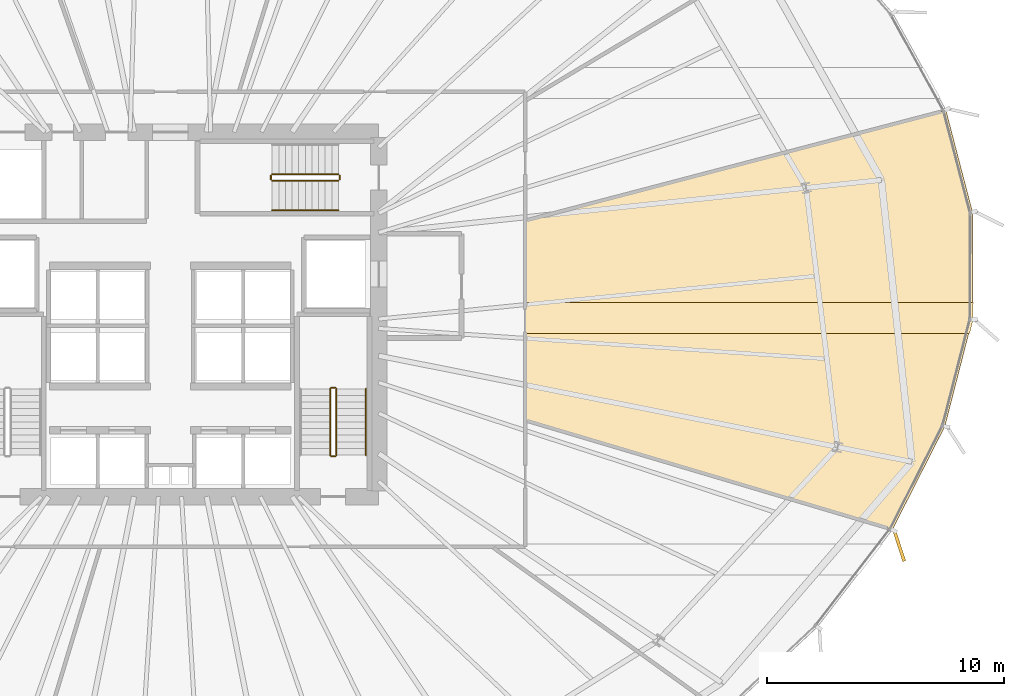
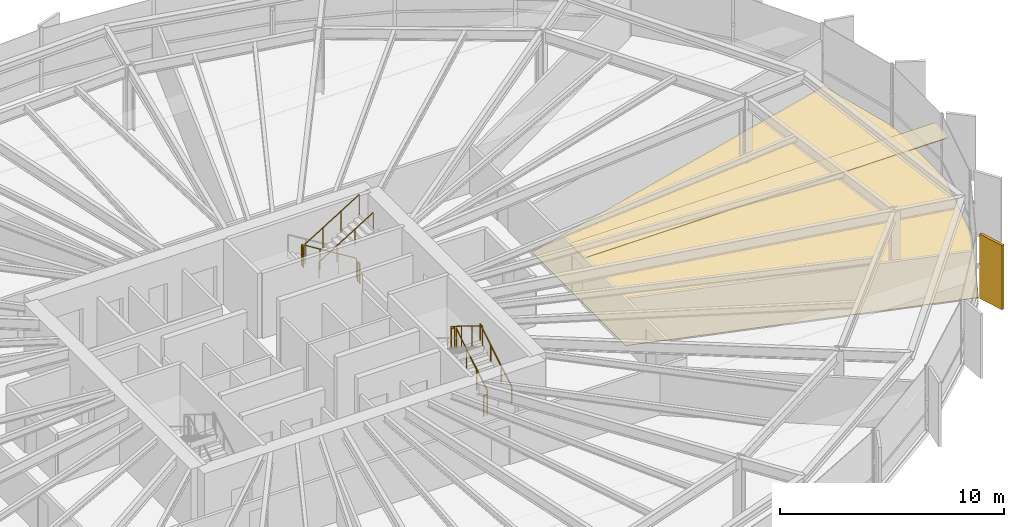
# One storey, part 36 of 37: 10 railings, 3 coverings.
"""IFC4 building model written with IfcOpenShell, lengths in metres."""

from ifc_helpers import new_model, si_unit, direction, frame, origin, origin_2d, place, context, subcontext, project, spatial, polyline, rectangle, circle, outline, extrude, source, transform, mapped, material, layer, layer_set, type_object, element, save


model = new_model("IFC4")

# Units and contexts
model_context = context("Model", 3, precision=1e-05, world=origin(), true_north=direction((0.0, 1.0)))
body_context = subcontext(model_context, "Body", "Model", "MODEL_VIEW")
ifc_project = project(units=[si_unit("LENGTHUNIT", "METRE"), si_unit("AREAUNIT", "SQUARE_METRE"), si_unit("VOLUMEUNIT", "CUBIC_METRE"), si_unit("PLANEANGLEUNIT", "RADIAN"), si_unit("MASSUNIT", "GRAM", prefix="KILO"), si_unit("THERMODYNAMICTEMPERATUREUNIT", "KELVIN")], contexts=[model_context])

# Site, building, storey
site_placement = place(None, origin())
site = spatial("IfcSite", under=ifc_project, at=site_placement, CompositionType="ELEMENT")
building_placement = place(site_placement, origin())
building = spatial("IfcBuilding", under=site, at=building_placement, Name="Kethvar Cultural Tower", CompositionType="ELEMENT")
storey_placement = place(building_placement, frame((0.0, 0.0, 60.0)))
storey = spatial("IfcBuildingStorey", under=building, at=storey_placement, Name="L14", CompositionType="ELEMENT", Elevation=60.0)

# Coverings
ifc_material_1 = material(Name="Acoustic Mineral Fibre Ceiling")
ifc_layer_1 = layer(ifc_material_1, 0.0400390625, Name="Acoustic Mineral Fibre Ceiling")
ifc_layer_set_1 = layer_set([ifc_layer_1], Name="Acoustic Mineral Fibre Ceiling (40 mm)")
covering_type_1 = type_object("IfcCoveringType", Name="CV-ACOUSTIC-CEIL", PredefinedType="CEILING", material=ifc_layer_set_1)
covering_1_placement = place(storey_placement, frame((0.0, 0.0, 2.56005859375)))
element("IfcCovering", 1, at=covering_1_placement, inside=storey, type_object=covering_type_1, Name="L14 Room 04 Acoustic Ceiling Panel", PredefinedType="CEILING", context=body_context, shape_type="SweptSolid", body=[
    extrude(outline(polyline([(61.77001953125, 28.299072265625), (80.722412109375, 28.299072265625), (80.719482421875, 27.5791015625), (80.56884765625, 26.989013671875), (61.77001953125, 26.989013671875), (61.77001953125, 28.299072265625)])), origin(), (0.0, 0.0, 1.0), 0.0400390625),
])
ifc_material_2 = material(Name="Architectural Oak Timber", Category="wood")
ifc_layer_2 = layer(ifc_material_2, 0.02490234375, Name="Architectural Oak Timber", Category="wood")
ifc_layer_set_2 = layer_set([ifc_layer_2], Name="Architectural Oak Timber (25 mm)")
covering_type_2 = type_object("IfcCoveringType", Name="CV-OAK-FLOOR", PredefinedType="FLOORING", material=ifc_layer_set_2)
covering_2_placement = place(storey_placement, origin())
element("IfcCovering", 2, at=covering_2_placement, inside=storey, type_object=covering_type_2, Name="L14 Room 04 Floor Finish", PredefinedType="FLOORING", context=body_context, shape_type="SweptSolid", body=[
    extrude(outline(polyline([(79.52294921875, 23.0732421875), (77.30810546875, 18.712158203125), (61.81005859375, 23.33935546875), (61.81005859375, 31.73779296875), (79.565185546875, 36.419921875), (80.697021484375, 32.082275390625), (80.679443359375, 27.581787109375), (79.52294921875, 23.0732421875)])), origin(), (0.0, 0.0, 1.0), 0.02490234375),
])

# Railings
ifc_material_3 = material(Name="Steel S355J2", Category="steel")
railing_type_1 = type_object("IfcRailingType", Name="RL-STAIR-GUARD", PredefinedType="BALUSTRADE", material=ifc_material_3)
railing_1_placement = place(storey_placement, frame((53.81005859375, 21.85009765625, 0.172607421875)))
element("IfcRailing", 3, at=railing_1_placement, inside=storey, type_object=railing_type_1, Name="L14 ST-02 stair guard 1", PredefinedType="BALUSTRADE", context=body_context, shape_type="SweptSolid", body=[
    extrude(circle(Radius=0.02392578125, at=origin_2d()), frame((0.0, 0.0, 1.09619140625), z_axis=(0.0, 0.851069175582, 0.525053576669), x_axis=(-1.0, 0.0, 0.0)), (0.0, 0.0, 1.0), 3.289794921875),
    extrude(circle(Radius=0.02099609375, at=origin_2d()), origin(), (0.0, 0.0, 1.0), 1.072021484375),
    extrude(circle(Radius=0.02099609375, at=origin_2d()), frame((0.0, 0.933349609375, 0.57568359375)), (0.0, 0.0, 1.0), 1.072021484375),
    extrude(circle(Radius=0.02099609375, at=origin_2d()), frame((0.0, 1.866455078125, 1.151611328125)), (0.0, 0.0, 1.0), 1.072021484375),
    extrude(circle(Radius=0.02099609375, at=origin_2d()), frame((0.0, 2.7998046875, 1.727294921875)), (0.0, 0.0, 1.0), 1.072021484375),
])
railing_2_placement = place(storey_placement, frame((53.760009765625, 24.699951171875, 1.89990234375)))
element("IfcRailing", 4, at=railing_2_placement, inside=storey, type_object=railing_type_1, Name="L14 ST-02 stair guard 2", PredefinedType="BALUSTRADE", context=body_context, shape_type="SweptSolid", body=[
    extrude(circle(Radius=0.02392578125, at=origin_2d()), frame((0.0, 0.0, 1.09619140625), z_axis=(-1.0, 0.0, 0.0), x_axis=(0.0, -1.0, 0.0)), (0.0, 0.0, 1.0), 0.159912109375),
    extrude(circle(Radius=0.02099609375, at=origin_2d()), origin(), (0.0, 0.0, 1.0), 1.072021484375),
    extrude(circle(Radius=0.02099609375, at=origin_2d()), frame((-0.159912109375, 0.0, 0.0)), (0.0, 0.0, 1.0), 1.072021484375),
])
railing_3_placement = place(storey_placement, frame((53.550048828125, 24.64990234375, 2.07275390625)))
element("IfcRailing", 5, at=railing_3_placement, inside=storey, type_object=railing_type_1, Name="L14 ST-02 stair guard 3", PredefinedType="BALUSTRADE", context=body_context, shape_type="SweptSolid", body=[
    extrude(circle(Radius=0.02392578125, at=origin_2d()), frame((0.0, 0.0, 1.09619140625), z_axis=(0.0, -0.851069175582, 0.525053576669), x_axis=(1.0, 0.0, 0.0)), (0.0, 0.0, 1.0), 3.289794921875),
    extrude(circle(Radius=0.02099609375, at=origin_2d()), origin(), (0.0, 0.0, 1.0), 1.072021484375),
    extrude(circle(Radius=0.02099609375, at=origin_2d()), frame((0.0, -0.933349609375, 0.57568359375)), (0.0, 0.0, 1.0), 1.072021484375),
    extrude(circle(Radius=0.02099609375, at=origin_2d()), frame((0.0, -1.866455078125, 1.151611328125)), (0.0, 0.0, 1.0), 1.072021484375),
    extrude(circle(Radius=0.02099609375, at=origin_2d()), frame((0.0, -2.7998046875, 1.727294921875)), (0.0, 0.0, 1.0), 1.072021484375),
])
railing_4_placement = place(storey_placement, frame((53.760009765625, 21.800048828125, 0.0)))
element("IfcRailing", 6, at=railing_4_placement, inside=storey, type_object=railing_type_1, Name="L14 ST-02 stair guard 4", PredefinedType="BALUSTRADE", context=body_context, shape_type="SweptSolid", body=[
    extrude(circle(Radius=0.02392578125, at=origin_2d()), frame((0.0, 0.0, 1.09619140625), z_axis=(-1.0, 0.0, 0.0), x_axis=(0.0, -1.0, 0.0)), (0.0, 0.0, 1.0), 0.159912109375),
    extrude(circle(Radius=0.02099609375, at=origin_2d()), origin(), (0.0, 0.0, 1.0), 1.072021484375),
    extrude(circle(Radius=0.02099609375, at=origin_2d()), frame((-0.159912109375, 0.0, 0.0)), (0.0, 0.0, 1.0), 1.072021484375),
])
railing_5_placement = place(storey_placement, frame((53.89990234375, 33.7099609375, 0.172607421875)))
element("IfcRailing", 7, at=railing_5_placement, inside=storey, type_object=railing_type_1, Name="L14 ST-03 stair guard 1", PredefinedType="BALUSTRADE", context=body_context, shape_type="SweptSolid", body=[
    extrude(circle(Radius=0.02392578125, at=origin_2d()), frame((0.0, 0.0, 1.09619140625), z_axis=(-0.851069175582, 0.0, 0.525053576669), x_axis=(0.0, -1.0, 0.0)), (0.0, 0.0, 1.0), 3.289794921875),
    extrude(circle(Radius=0.02099609375, at=origin_2d()), origin(), (0.0, 0.0, 1.0), 1.072021484375),
    extrude(circle(Radius=0.02099609375, at=origin_2d()), frame((-0.933349609375, 0.0, 0.57568359375)), (0.0, 0.0, 1.0), 1.072021484375),
    extrude(circle(Radius=0.02099609375, at=origin_2d()), frame((-1.866455078125, 0.0, 1.151611328125)), (0.0, 0.0, 1.0), 1.072021484375),
    extrude(circle(Radius=0.02099609375, at=origin_2d()), frame((-2.7998046875, 0.0, 1.727294921875)), (0.0, 0.0, 1.0), 1.072021484375),
])
railing_6_placement = place(storey_placement, frame((51.050048828125, 33.659912109375, 1.89990234375)))
element("IfcRailing", 8, at=railing_6_placement, inside=storey, type_object=railing_type_1, Name="L14 ST-03 stair guard 2", PredefinedType="BALUSTRADE", context=body_context, shape_type="SweptSolid", body=[
    extrude(circle(Radius=0.02392578125, at=origin_2d()), frame((0.0, 0.0, 1.09619140625), z_axis=(0.0, -1.0, 0.0), x_axis=(1.0, 0.0, 0.0)), (0.0, 0.0, 1.0), 0.159912109375),
    extrude(circle(Radius=0.02099609375, at=origin_2d()), origin(), (0.0, 0.0, 1.0), 1.072021484375),
    extrude(circle(Radius=0.02099609375, at=origin_2d()), frame((0.0, -0.159912109375, 0.0)), (0.0, 0.0, 1.0), 1.072021484375),
])
railing_7_placement = place(storey_placement, frame((51.10009765625, 33.449951171875, 2.07275390625)))
element("IfcRailing", 9, at=railing_7_placement, inside=storey, type_object=railing_type_1, Name="L14 ST-03 stair guard 3", PredefinedType="BALUSTRADE", context=body_context, shape_type="SweptSolid", body=[
    extrude(circle(Radius=0.02392578125, at=origin_2d()), frame((0.0, 0.0, 1.09619140625), z_axis=(0.851069175582, 0.0, 0.525053576669), x_axis=(0.0, 1.0, 0.0)), (0.0, 0.0, 1.0), 3.289794921875),
    extrude(circle(Radius=0.02099609375, at=origin_2d()), origin(), (0.0, 0.0, 1.0), 1.072021484375),
    extrude(circle(Radius=0.02099609375, at=origin_2d()), frame((0.933349609375, 0.0, 0.57568359375)), (0.0, 0.0, 1.0), 1.072021484375),
    extrude(circle(Radius=0.02099609375, at=origin_2d()), frame((1.866455078125, 0.0, 1.151611328125)), (0.0, 0.0, 1.0), 1.072021484375),
    extrude(circle(Radius=0.02099609375, at=origin_2d()), frame((2.7998046875, 0.0, 1.727294921875)), (0.0, 0.0, 1.0), 1.072021484375),
])
railing_8_placement = place(storey_placement, frame((53.949951171875, 33.659912109375, 0.0)))
element("IfcRailing", 10, at=railing_8_placement, inside=storey, type_object=railing_type_1, Name="L14 ST-03 stair guard 4", PredefinedType="BALUSTRADE", context=body_context, shape_type="SweptSolid", body=[
    extrude(circle(Radius=0.02392578125, at=origin_2d()), frame((0.0, 0.0, 1.09619140625), z_axis=(0.0, -1.0, 0.0), x_axis=(1.0, 0.0, 0.0)), (0.0, 0.0, 1.0), 0.159912109375),
    extrude(circle(Radius=0.02099609375, at=origin_2d()), origin(), (0.0, 0.0, 1.0), 1.072021484375),
    extrude(circle(Radius=0.02099609375, at=origin_2d()), frame((0.0, -0.159912109375, 0.0)), (0.0, 0.0, 1.0), 1.072021484375),
])
railing_type_2 = type_object("IfcRailingType", Name="RL-STAIR-HANDRAIL", PredefinedType="HANDRAIL", material=ifc_material_3)
railing_9_placement = place(storey_placement, frame((55.06005859375, 21.85009765625, 0.172607421875)))
element("IfcRailing", 11, at=railing_9_placement, inside=storey, type_object=railing_type_2, Name="L14 ST-02 stair handrail 1", PredefinedType="HANDRAIL", context=body_context, shape_type="SweptSolid", body=[
    extrude(circle(Radius=0.02392578125, at=origin_2d()), frame((0.0, 0.0, 0.8759765625), z_axis=(0.0, 0.851069175582, 0.525053576669), x_axis=(-1.0, 0.0, 0.0)), (0.0, 0.0, 1.0), 3.289794921875),
    extrude(circle(Radius=0.02099609375, at=origin_2d()), origin(), (0.0, 0.0, 1.0), 0.851806640625),
    extrude(circle(Radius=0.02099609375, at=origin_2d()), frame((0.0, 0.933349609375, 0.57568359375)), (0.0, 0.0, 1.0), 0.851806640625),
    extrude(circle(Radius=0.02099609375, at=origin_2d()), frame((0.0, 1.866455078125, 1.151611328125)), (0.0, 0.0, 1.0), 0.851806640625),
    extrude(circle(Radius=0.02099609375, at=origin_2d()), frame((0.0, 2.7998046875, 1.727294921875)), (0.0, 0.0, 1.0), 0.851806640625),
])
railing_10_placement = place(storey_placement, frame((51.10009765625, 32.199951171875, 2.07275390625)))
element("IfcRailing", 12, at=railing_10_placement, inside=storey, type_object=railing_type_2, Name="L14 ST-03 stair handrail 2", PredefinedType="HANDRAIL", context=body_context, shape_type="SweptSolid", body=[
    extrude(circle(Radius=0.02392578125, at=origin_2d()), frame((0.0, 0.0, 0.8759765625), z_axis=(0.851069175582, 0.0, 0.525053576669), x_axis=(0.0, 1.0, 0.0)), (0.0, 0.0, 1.0), 3.289794921875),
    extrude(circle(Radius=0.02099609375, at=origin_2d()), origin(), (0.0, 0.0, 1.0), 0.851806640625),
    extrude(circle(Radius=0.02099609375, at=origin_2d()), frame((0.933349609375, 0.0, 0.57568359375)), (0.0, 0.0, 1.0), 0.851806640625),
    extrude(circle(Radius=0.02099609375, at=origin_2d()), frame((1.866455078125, 0.0, 1.151611328125)), (0.0, 0.0, 1.0), 0.851806640625),
    extrude(circle(Radius=0.02099609375, at=origin_2d()), frame((2.7998046875, 0.0, 1.727294921875)), (0.0, 0.0, 1.0), 0.851806640625),
])

# Covering
ifc_material_4 = material(Name="Extruded Architectural Terracotta", Category="masonry")
ifc_layer_3 = layer(ifc_material_4, 0.135009765625, Name="Extruded Architectural Terracotta", Category="masonry")
ifc_layer_set_3 = layer_set([ifc_layer_3], Name="Extruded Architectural Terracotta (135 mm)")
covering_type_3 = type_object("IfcCoveringType", Name="Terracotta Facade Fin FIN-01", PredefinedType="CLADDING", material=ifc_layer_set_3)
shared_shape = source(origin(), body_context, "Body", "SweptSolid", [
    extrude(rectangle(XDim=1.35009765625, YDim=0.135009765625, at=origin_2d()), origin(), (0.0, 0.0, 1.0), 3.510009765625),
])
covering_3_placement = place(storey_placement, frame((77.59765625, 18.009765625, 0.02001953125), z_axis=(0.0, 0.0, 1.0), x_axis=(0.308186923436, -0.951325822325, 0.0)))
element("IfcCovering", 13, at=covering_3_placement, inside=storey, type_object=covering_type_3, Name="L14 Vertical Terracotta Fin 6.4", PredefinedType="CLADDING", context=body_context, shape_type="MappedRepresentation", body=[
    mapped(shared_shape, transform((0.0, 0.0, 0.0), scale=1.0)),
])

save(model, "model.ifc")
